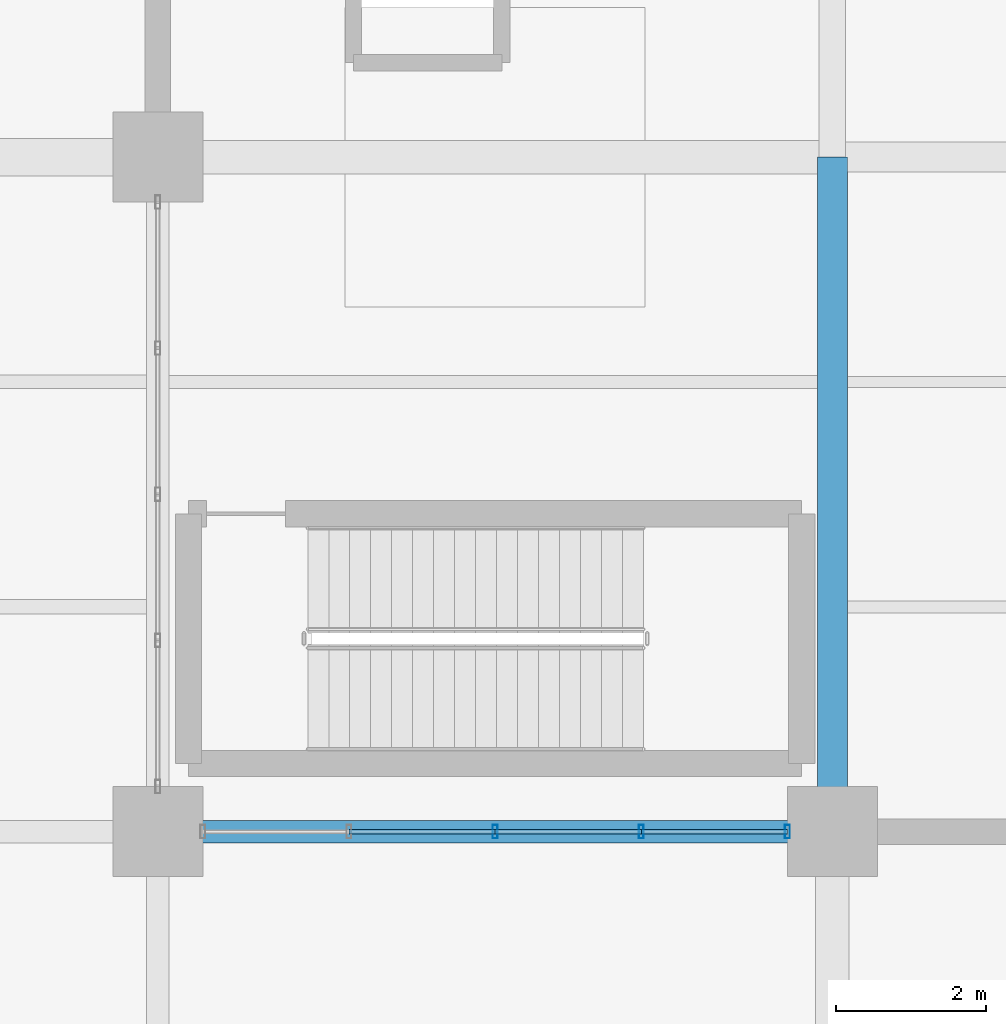
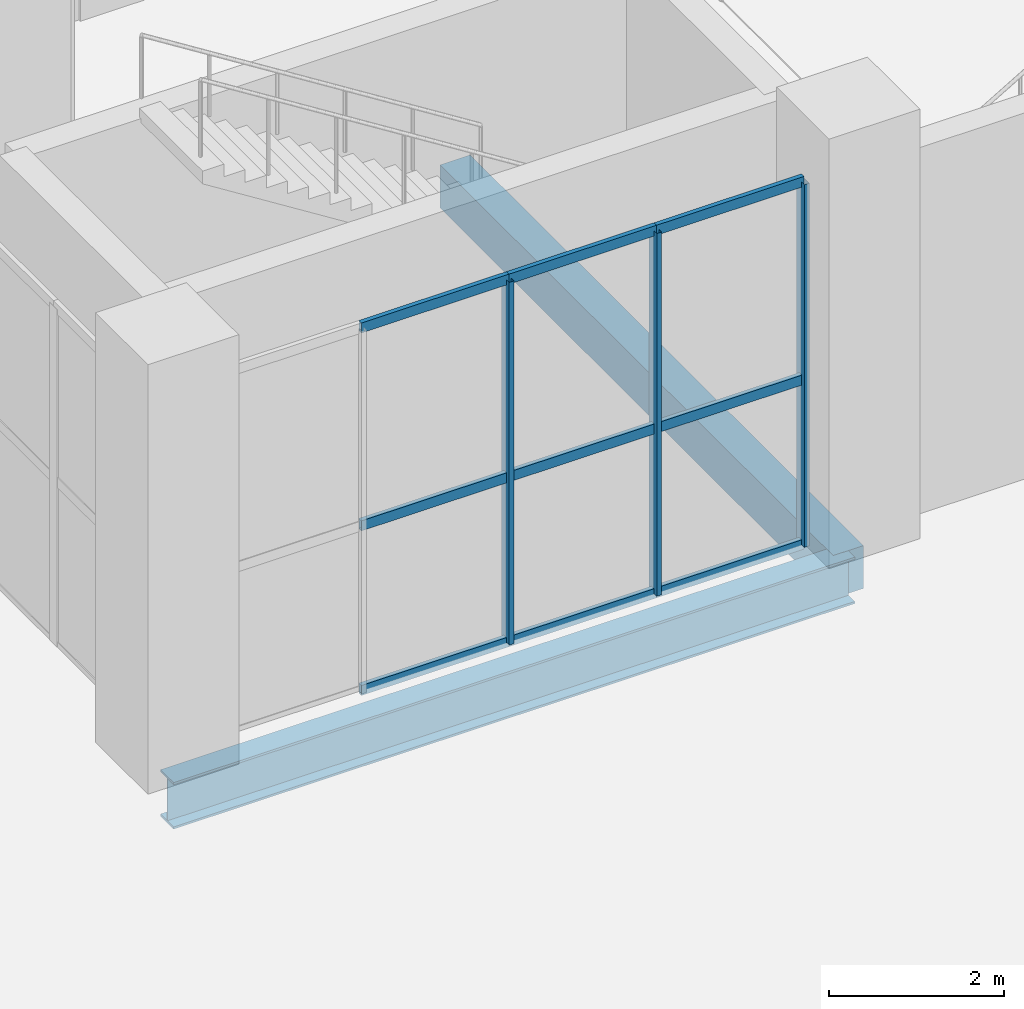
# One storey, part 18 of 144: 12 members, 2 beams, 1 element without a shape of its own.
"""IFC4 building model written with IfcOpenShell, lengths in metres."""

from ifc_helpers import new_model, si_unit, direction, frame, origin, origin_2d, place, context, subcontext, project, spatial, rectangle, hollow_rectangle, i_section, extrude, material, layer, layer_set, material_profile, profile_set, type_object, element, aggregate, save


model = new_model("IFC4")

# Units and contexts
model_context = context("Model", 3, precision=1e-05, world=origin(), true_north=direction((0.0, 1.0)))
body_context = subcontext(model_context, "Body", "Model", "MODEL_VIEW")
ifc_project = project(units=[si_unit("LENGTHUNIT", "METRE"), si_unit("AREAUNIT", "SQUARE_METRE"), si_unit("VOLUMEUNIT", "CUBIC_METRE"), si_unit("PLANEANGLEUNIT", "RADIAN"), si_unit("MASSUNIT", "GRAM", prefix="KILO")], contexts=[model_context])

# Site, building, storey
site_placement = place(None, origin())
site = spatial("IfcSite", under=ifc_project, at=site_placement, CompositionType="ELEMENT")
building_placement = place(site_placement, origin())
building = spatial("IfcBuilding", under=site, at=building_placement, Name="Sundgate Opera House", CompositionType="ELEMENT")
storey_placement = place(building_placement, origin())
storey = spatial("IfcBuildingStorey", under=building, at=storey_placement, Name="L00", CompositionType="ELEMENT", Elevation=0.0)

# Beams
ifc_material_1 = material(Name="Steel S355J2", Category="steel")
ifc_material_profile_1 = material_profile(ifc_material_1, i_section(OverallWidth=0.300048828125, OverallDepth=0.64990234375, WebThickness=0.01611328125, FlangeThickness=0.031005859375, at=origin_2d()), Name="HEB 650")
ifc_profile_set_1 = profile_set([ifc_material_profile_1], Name="Steel S355J2")
beam_type_1 = type_object("IfcBeamType", Name="BM-GR-HEB650", PredefinedType="BEAM", material=ifc_profile_set_1)
beam_1_placement = place(storey_placement, frame((36.0, 42.0, -0.64501953125), z_axis=(1.0, 0.0, 0.0), x_axis=(0.0, 1.0, 0.0)))
element("IfcBeam", 1, at=beam_1_placement, inside=storey, type_object=beam_type_1, Name="L00 Primary E-W Girder B0411", PredefinedType="BEAM", context=body_context, shape_type="SweptSolid", body=[
    extrude(i_section(OverallWidth=0.300048828125, OverallDepth=0.64990234375, WebThickness=0.01611328125, FlangeThickness=0.031005859375, at=origin_2d()), origin(), (0.0, 0.0, 1.0), 9.0),
])
ifc_material_2 = material(Name="Concrete C35/45", Category="concrete")
ifc_material_profile_2 = material_profile(ifc_material_2, rectangle(XDim=0.39990234375, YDim=0.60009765625, at=origin_2d()), Name="RC 400x600")
ifc_profile_set_2 = profile_set([ifc_material_profile_2], Name="Concrete C35/45")
beam_type_2 = type_object("IfcBeamType", Name="BM-RC-400x600", PredefinedType="BEAM", material=ifc_profile_set_2)
beam_2_placement = place(storey_placement, frame((45.0, 42.0, -0.6201171875), z_axis=(0.0, 1.0, 0.0), x_axis=(-1.0, 0.0, 0.0)))
element("IfcBeam", 2, at=beam_2_placement, inside=storey, type_object=beam_type_2, Name="L00 Primary N-S Girder B0123", PredefinedType="BEAM", context=body_context, shape_type="SweptSolid", body=[
    extrude(rectangle(XDim=0.39990234375, YDim=0.60009765625, at=origin_2d()), origin(), (0.0, 0.0, 1.0), 9.0),
])

# Curtain wall, members
ifc_material_3 = material(Name="Anodized aluminium and low-iron glass", Category="aluminium")
ifc_layer = layer(ifc_material_3, 0.179931640625)
ifc_layer_set = layer_set([ifc_layer], Name="Anodized aluminium and low-iron glass")
curtain_wall_type = type_object("IfcCurtainWallType", Name="CW-FOYER-GLASS", PredefinedType="NOTDEFINED", material=ifc_layer_set)
curtain_wall_placement = place(storey_placement, origin())
curtain_wall = element("IfcCurtainWall", 3, at=curtain_wall_placement, inside=storey, type_object=curtain_wall_type, Name="L00 Curtain Wall CW001", PredefinedType="NOTDEFINED")
ifc_material_4 = material(Name="Anodized aluminium EN AW-6063", Category="aluminium")
ifc_material_profile_3 = material_profile(ifc_material_4, hollow_rectangle(XDim=0.06494140625, YDim=0.179931640625, WallThickness=0.00390625, at=origin_2d()), Name="CWM 180x65x4")
ifc_profile_set_3 = profile_set([ifc_material_profile_3], Name="Anodized aluminium EN AW-6063")
member_type_1 = type_object("IfcMemberType", Name="CWM-ALU-180x65", PredefinedType="MULLION", material=ifc_profile_set_3)
member_1_placement = place(storey_placement, frame((44.39990234375, 42.0, 0.0), z_axis=(0.0, 0.0, 1.0), x_axis=(1.0, 0.0, 0.0)))
member_1 = element("IfcMember", 4, at=member_1_placement, type_object=member_type_1, Name="CW001 Mullion 1", PredefinedType="MULLION", context=body_context, shape_type="SweptSolid", body=[
    extrude(hollow_rectangle(XDim=0.06494140625, YDim=0.179931640625, WallThickness=0.00390625, at=origin_2d()), origin(), (0.0, 0.0, 1.0), 5.06494140625),
])
member_2_placement = place(storey_placement, frame((42.449951171875, 42.0, 0.0), z_axis=(0.0, 0.0, 1.0), x_axis=(1.0, 0.0, 0.0)))
member_2 = element("IfcMember", 5, at=member_2_placement, type_object=member_type_1, Name="CW001 Mullion 2", PredefinedType="MULLION", context=body_context, shape_type="SweptSolid", body=[
    extrude(hollow_rectangle(XDim=0.06494140625, YDim=0.179931640625, WallThickness=0.00390625, at=origin_2d()), origin(), (0.0, 0.0, 1.0), 5.06494140625),
])
member_3_placement = place(storey_placement, frame((40.5, 42.0, 0.0), z_axis=(0.0, 0.0, 1.0), x_axis=(1.0, 0.0, 0.0)))
member_3 = element("IfcMember", 6, at=member_3_placement, type_object=member_type_1, Name="CW001 Mullion 3", PredefinedType="MULLION", context=body_context, shape_type="SweptSolid", body=[
    extrude(hollow_rectangle(XDim=0.06494140625, YDim=0.179931640625, WallThickness=0.00390625, at=origin_2d()), origin(), (0.0, 0.0, 1.0), 5.06494140625),
])
ifc_material_5 = material(Name="Anodized aluminium EN AW-6063", Category="aluminium")
ifc_material_profile_4 = material_profile(ifc_material_5, hollow_rectangle(XDim=0.06005859375, YDim=0.139892578125, WallThickness=0.00390625, at=origin_2d()), Name="CWT 140x60x4")
ifc_profile_set_4 = profile_set([ifc_material_profile_4], Name="Anodized aluminium EN AW-6063")
member_type_2 = type_object("IfcMemberType", Name="CWT-ALU-140x60", PredefinedType="USERDEFINED", material=ifc_profile_set_4)
member_4_placement = place(storey_placement, frame((44.39990234375, 42.0, 0.0), z_axis=(-1.0, 0.0, 0.0), x_axis=(0.0, -1.0, 0.0)))
member_4 = element("IfcMember", 7, at=member_4_placement, type_object=member_type_2, Name="CW001 Transom 1", ObjectType="TRANSOM", PredefinedType="USERDEFINED", context=body_context, shape_type="SweptSolid", body=[
    extrude(hollow_rectangle(XDim=0.06005859375, YDim=0.139892578125, WallThickness=0.00390625, at=origin_2d()), origin(), (0.0, 0.0, 1.0), 1.949951171875),
])
member_5_placement = place(storey_placement, frame((44.39990234375, 42.0, 2.300048828125), z_axis=(-1.0, 0.0, 0.0), x_axis=(0.0, -1.0, 0.0)))
member_5 = element("IfcMember", 8, at=member_5_placement, type_object=member_type_2, Name="CW001 Transom 2", ObjectType="TRANSOM", PredefinedType="USERDEFINED", context=body_context, shape_type="SweptSolid", body=[
    extrude(hollow_rectangle(XDim=0.06005859375, YDim=0.139892578125, WallThickness=0.00390625, at=origin_2d()), origin(), (0.0, 0.0, 1.0), 1.949951171875),
])
member_6_placement = place(storey_placement, frame((44.39990234375, 42.0, 5.06494140625), z_axis=(-1.0, 0.0, 0.0), x_axis=(0.0, -1.0, 0.0)))
member_6 = element("IfcMember", 9, at=member_6_placement, type_object=member_type_2, Name="CW001 Transom 3", ObjectType="TRANSOM", PredefinedType="USERDEFINED", context=body_context, shape_type="SweptSolid", body=[
    extrude(hollow_rectangle(XDim=0.06005859375, YDim=0.139892578125, WallThickness=0.00390625, at=origin_2d()), origin(), (0.0, 0.0, 1.0), 1.949951171875),
])
member_7_placement = place(storey_placement, frame((42.449951171875, 42.0, 0.0), z_axis=(-1.0, 0.0, 0.0), x_axis=(0.0, -1.0, 0.0)))
member_7 = element("IfcMember", 10, at=member_7_placement, type_object=member_type_2, Name="CW001 Transom 4", ObjectType="TRANSOM", PredefinedType="USERDEFINED", context=body_context, shape_type="SweptSolid", body=[
    extrude(hollow_rectangle(XDim=0.06005859375, YDim=0.139892578125, WallThickness=0.00390625, at=origin_2d()), origin(), (0.0, 0.0, 1.0), 1.949951171875),
])
member_8_placement = place(storey_placement, frame((42.449951171875, 42.0, 2.300048828125), z_axis=(-1.0, 0.0, 0.0), x_axis=(0.0, -1.0, 0.0)))
member_8 = element("IfcMember", 11, at=member_8_placement, type_object=member_type_2, Name="CW001 Transom 5", ObjectType="TRANSOM", PredefinedType="USERDEFINED", context=body_context, shape_type="SweptSolid", body=[
    extrude(hollow_rectangle(XDim=0.06005859375, YDim=0.139892578125, WallThickness=0.00390625, at=origin_2d()), origin(), (0.0, 0.0, 1.0), 1.949951171875),
])
member_9_placement = place(storey_placement, frame((42.449951171875, 42.0, 5.06494140625), z_axis=(-1.0, 0.0, 0.0), x_axis=(0.0, -1.0, 0.0)))
member_9 = element("IfcMember", 12, at=member_9_placement, type_object=member_type_2, Name="CW001 Transom 6", ObjectType="TRANSOM", PredefinedType="USERDEFINED", context=body_context, shape_type="SweptSolid", body=[
    extrude(hollow_rectangle(XDim=0.06005859375, YDim=0.139892578125, WallThickness=0.00390625, at=origin_2d()), origin(), (0.0, 0.0, 1.0), 1.949951171875),
])
member_10_placement = place(storey_placement, frame((40.5, 42.0, 0.0), z_axis=(-1.0, 0.0, 0.0), x_axis=(0.0, -1.0, 0.0)))
member_10 = element("IfcMember", 13, at=member_10_placement, type_object=member_type_2, Name="CW001 Transom 7", ObjectType="TRANSOM", PredefinedType="USERDEFINED", context=body_context, shape_type="SweptSolid", body=[
    extrude(hollow_rectangle(XDim=0.06005859375, YDim=0.139892578125, WallThickness=0.00390625, at=origin_2d()), origin(), (0.0, 0.0, 1.0), 1.949951171875),
])
member_11_placement = place(storey_placement, frame((40.5, 42.0, 2.300048828125), z_axis=(-1.0, 0.0, 0.0), x_axis=(0.0, -1.0, 0.0)))
member_11 = element("IfcMember", 14, at=member_11_placement, type_object=member_type_2, Name="CW001 Transom 8", ObjectType="TRANSOM", PredefinedType="USERDEFINED", context=body_context, shape_type="SweptSolid", body=[
    extrude(hollow_rectangle(XDim=0.06005859375, YDim=0.139892578125, WallThickness=0.00390625, at=origin_2d()), origin(), (0.0, 0.0, 1.0), 1.949951171875),
])
member_12_placement = place(storey_placement, frame((40.5, 42.0, 5.06494140625), z_axis=(-1.0, 0.0, 0.0), x_axis=(0.0, -1.0, 0.0)))
member_12 = element("IfcMember", 15, at=member_12_placement, type_object=member_type_2, Name="CW001 Transom 9", ObjectType="TRANSOM", PredefinedType="USERDEFINED", context=body_context, shape_type="SweptSolid", body=[
    extrude(hollow_rectangle(XDim=0.06005859375, YDim=0.139892578125, WallThickness=0.00390625, at=origin_2d()), origin(), (0.0, 0.0, 1.0), 1.949951171875),
])
aggregate(curtain_wall, [member_1, member_2, member_3, member_4, member_5, member_6, member_7, member_8, member_9, member_10, member_11, member_12])

save(model, "model.ifc")
